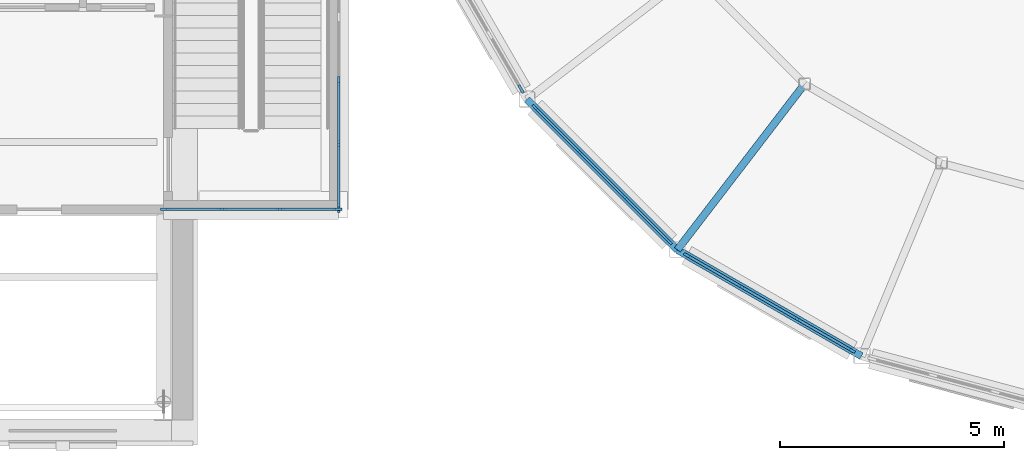
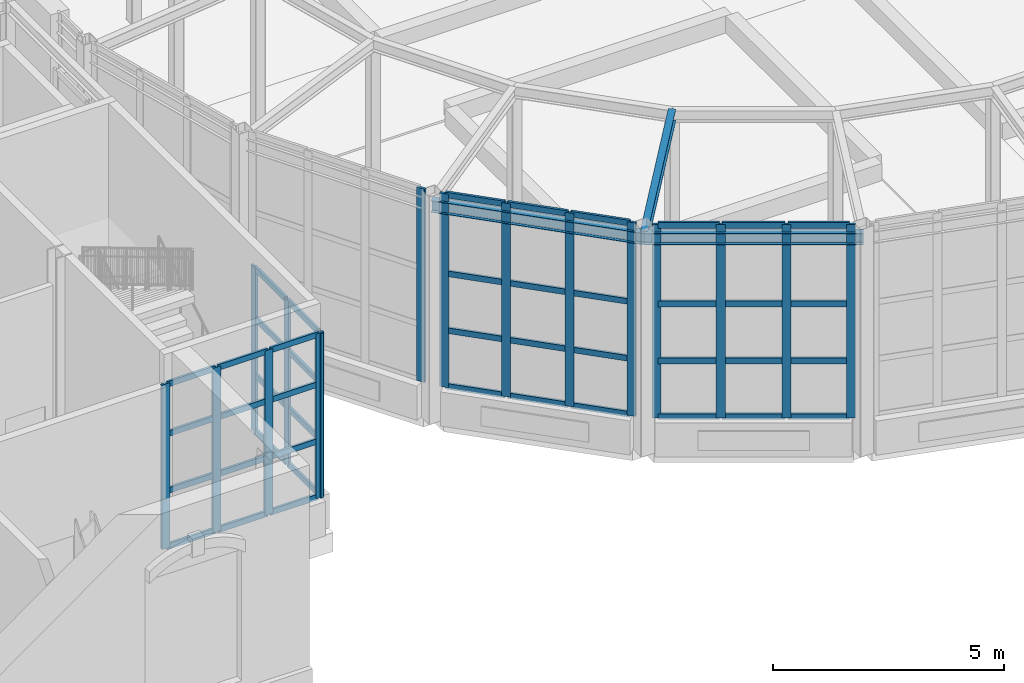
# One storey, part 26 of 106: 60 members, 3 beams, 5 elements without a shape of their own.
"""IFC4 building model written with IfcOpenShell, lengths in metres."""

import ifcopenshell
import ifcopenshell.guid

model = None  # the IFC model being written
_history = None  # IfcOwnerHistory: only IFC2X3 demands one
_inside = {}  # id of a spatial element -> (the spatial element, [elements in it])
_under = {}  # id of a project, library or spatial element -> (it, [spatial elements below it])
_declared = {}  # id of a project -> (the project, [libraries it declares])
_typed = {}  # id of a type object -> (the type object, [elements of that type])
_made_of = {}  # id of a material, layer set ... -> (it, [elements and type objects made of it])


def new_model(schema):
    """Start an empty IFC model of exactly this schema.

    Asked for "IFC4X3", IfcOpenShell would pick the latest addendum, in which some entities
    have other attributes; the version numbers below select the first issue.
    IFC2X3 requires an IfcOwnerHistory on every rooted entity: one is made here for all.
    """
    global model, _history
    if schema == "IFC4X3":
        model = ifcopenshell.file(schema_version=(4, 3, 0, 0))
    else:
        model = ifcopenshell.file(schema=schema)
    _inside.clear()
    _under.clear()
    _declared.clear()
    _typed.clear()
    _made_of.clear()
    _history = None
    if model.schema == "IFC2X3":
        org = make("IfcOrganization", Name="unknown")
        user = make(
            "IfcPersonAndOrganization",
            ThePerson=make("IfcPerson", FamilyName="unknown"),
            TheOrganization=org,
        )
        app = make(
            "IfcApplication",
            ApplicationDeveloper=org,
            Version="unknown",
            ApplicationFullName="unknown",
            ApplicationIdentifier="unknown",
        )
        _history = make(
            "IfcOwnerHistory",
            OwningUser=user,
            OwningApplication=app,
            ChangeAction="ADDED",
            CreationDate=0,
        )
    return model


def make(cls, **values):
    """One entity of the class cls with the attributes given. An attribute that is None is left unset."""
    return model.create_entity(
        cls, **{name: value for name, value in values.items() if value is not None}
    )


def rooted(cls, **values):
    """An entity with a GlobalId (a new one), such as an element, a storey or a relation."""
    return make(cls, GlobalId=ifcopenshell.guid.new(), OwnerHistory=_history, **values)


def si_unit(unit_type, name, prefix=None):
    """IfcSIUnit, for example si_unit("LENGTHUNIT", "METRE", prefix="MILLI")."""
    return make("IfcSIUnit", UnitType=unit_type, Prefix=prefix, Name=name)


def assignment(units):
    """IfcUnitAssignment: the units of a project."""
    return None if units is None else make("IfcUnitAssignment", Units=units)


def point(xyz):
    """IfcCartesianPoint."""
    return None if xyz is None else make("IfcCartesianPoint", Coordinates=xyz)


def direction(xyz):
    """IfcDirection."""
    return None if xyz is None else make("IfcDirection", DirectionRatios=xyz)


def frame(location, z_axis=None, x_axis=None):
    """IfcAxis2Placement3D, a coordinate frame: its origin and axes. An axis left out is left unset."""
    return make(
        "IfcAxis2Placement3D",
        Location=point(location),
        Axis=direction(z_axis),
        RefDirection=direction(x_axis),
    )


def frame_2d(location, x_axis=None):
    """IfcAxis2Placement2D, a coordinate frame in the plane: its origin and x axis."""
    return make(
        "IfcAxis2Placement2D", Location=point(location), RefDirection=direction(x_axis)
    )


def origin():
    """The frame at (0, 0, 0) with its axes left unset."""
    return frame((0.0, 0.0, 0.0))


def origin_2d():
    """The frame at (0, 0) in the plane with its x axis left unset."""
    return frame_2d((0.0, 0.0))


def place(relative_to, where):
    """IfcLocalPlacement: puts the frame where relative to a parent placement (None: the world)."""
    return make(
        "IfcLocalPlacement", PlacementRelTo=relative_to, RelativePlacement=where
    )


def context(
    kind, dimensions, precision=None, world=None, true_north=None, identifier=None
):
    """IfcGeometricRepresentationContext, for example the 3D "Model" context."""
    return make(
        "IfcGeometricRepresentationContext",
        ContextIdentifier=identifier,
        ContextType=kind,
        CoordinateSpaceDimension=dimensions,
        Precision=precision,
        WorldCoordinateSystem=world,
        TrueNorth=true_north,
    )


def subcontext(parent, identifier, kind, view, scale=None):
    """IfcGeometricRepresentationSubContext, for example "Body" below "Model"."""
    return make(
        "IfcGeometricRepresentationSubContext",
        ContextIdentifier=identifier,
        ContextType=kind,
        ParentContext=parent,
        TargetScale=scale,
        TargetView=view,
    )


def project(units=None, contexts=None):
    """IfcProject with its units and contexts."""
    return rooted(
        "IfcProject",
        Name="project",
        RepresentationContexts=contexts,
        UnitsInContext=assignment(units),
    )


def spatial(cls, under=None, at=None, **own):
    """A site, building, storey or space (cls), placed at a placement, below another one or the project."""
    s = rooted(cls, ObjectPlacement=at, **own)
    if under is not None:
        _under.setdefault(under.id(), (under, []))[1].append(s)
    return s


def profile(cls, at=None, kind="AREA", **sizes):
    """A parametric profile (cls). Its sizes go by their IFC names, for example OverallWidth=200.0."""
    return make(cls, ProfileType=kind, Position=at, **sizes)


def rectangle(**sizes):
    """IfcRectangleProfileDef."""
    return profile("IfcRectangleProfileDef", **sizes)


def i_section(**sizes):
    """IfcIShapeProfileDef."""
    return profile("IfcIShapeProfileDef", **sizes)


def extrude(swept, where, along, depth):
    """IfcExtrudedAreaSolid: the profile swept, set in the frame where, extruded along a direction by depth."""
    return make(
        "IfcExtrudedAreaSolid",
        SweptArea=swept,
        Position=where,
        ExtrudedDirection=direction(along),
        Depth=depth,
    )


def shape(context_of_items, identifier, shape_type, items):
    """IfcShapeRepresentation: the items that make up one representation, for example the "Body"."""
    return make(
        "IfcShapeRepresentation",
        ContextOfItems=context_of_items,
        RepresentationIdentifier=identifier,
        RepresentationType=shape_type,
        Items=items,
    )


def material(Name=None, Category=None):
    """IfcMaterial."""
    return make("IfcMaterial", Name=Name, Category=Category)


def layer(
    of_material, thickness, ventilated=None, Name=None, Category=None, Priority=None
):
    """IfcMaterialLayer: one layer of a wall or slab, of a material (None: an air gap)."""
    return make(
        "IfcMaterialLayer",
        Material=of_material,
        LayerThickness=thickness,
        IsVentilated=ventilated,
        Name=Name,
        Category=Category,
        Priority=Priority,
    )


def layer_set(layers, Name=None):
    """IfcMaterialLayerSet."""
    return make("IfcMaterialLayerSet", MaterialLayers=layers, LayerSetName=Name)


def material_profile(
    of_material, cross_section, Name=None, Category=None, Priority=None
):
    """IfcMaterialProfile: a cross section and its material."""
    return make(
        "IfcMaterialProfile",
        Name=Name,
        Material=of_material,
        Profile=cross_section,
        Priority=Priority,
        Category=Category,
    )


def profile_set(profiles, Name=None, composite=None):
    """IfcMaterialProfileSet."""
    return make(
        "IfcMaterialProfileSet",
        Name=Name,
        MaterialProfiles=profiles,
        CompositeProfile=composite,
    )


def made_of(thing, what):
    """Note that an element or type object is made of a material, layer set ...; save() writes the relation."""
    if what is not None:
        _made_of.setdefault(what.id(), (what, []))[1].append(thing)
    return thing


def type_object(cls, material=None, **own):
    """A type object (cls), such as IfcWallType, which elements share."""
    return made_of(rooted(cls, **own), material)


def element(
    cls,
    number,
    at=None,
    inside=None,
    cuts=None,
    type_object=None,
    material=None,
    context=None,
    identifier="Body",
    shape_type=None,
    held_by="IfcProductDefinitionShape",
    body=None,
    shapes=None,
    **own,
):
    """One element of the class cls, such as IfcWall. Its Tag is "e" and its number.

    at: its placement. inside: the storey or other place that contains it. cuts: it is an
    opening in that element (IfcRelVoidsElement). A single representation is given by context,
    identifier, shape_type and body (its items); several are given by shapes. held_by: the class
    of the entity that holds the representations. save() writes the other relations.
    """
    e = rooted(cls, Tag="e%d" % number, ObjectPlacement=at, **own)
    if body is not None:
        shapes = [shape(context, identifier, shape_type, body)]
    if shapes is not None:
        e.Representation = make(held_by, Representations=shapes)
    if inside is not None:
        _inside.setdefault(inside.id(), (inside, []))[1].append(e)
    if cuts is not None:
        rooted(
            "IfcRelVoidsElement", RelatingBuildingElement=cuts, RelatedOpeningElement=e
        )
    if type_object is not None:
        _typed.setdefault(type_object.id(), (type_object, []))[1].append(e)
    return made_of(e, material)


def aggregate(whole, parts):
    """IfcRelAggregates: a whole, such as a stair, and the parts it consists of."""
    return rooted("IfcRelAggregates", RelatingObject=whole, RelatedObjects=parts)


def save(model, path):
    """Write the relations noted so far, then the file.

    IfcRelAggregates (storeys below a building ...), IfcRelContainedInSpatialStructure (elements
    in a storey), IfcRelDefinesByType, IfcRelAssociatesMaterial and IfcRelDeclares: one each for
    every whole, place, type object, material and project.
    """
    for whole, parts in _under.values():
        aggregate(whole, parts)
    for where, things in _inside.values():
        rooted(
            "IfcRelContainedInSpatialStructure",
            RelatedElements=things,
            RelatingStructure=where,
        )
    for kind, things in _typed.values():
        rooted("IfcRelDefinesByType", RelatedObjects=things, RelatingType=kind)
    for what, things in _made_of.values():
        rooted("IfcRelAssociatesMaterial", RelatedObjects=things, RelatingMaterial=what)
    for by, libraries in _declared.values():
        rooted("IfcRelDeclares", RelatingContext=by, RelatedDefinitions=libraries)
    model.write(path)


model = new_model("IFC4")

# Units and contexts
model_context = context("Model", 3, precision=1e-05, world=origin(), true_north=direction((0.0, 1.0)))
body_context = subcontext(model_context, "Body", "Model", "MODEL_VIEW")
ifc_project = project(units=[si_unit("LENGTHUNIT", "METRE"), si_unit("AREAUNIT", "SQUARE_METRE"), si_unit("VOLUMEUNIT", "CUBIC_METRE"), si_unit("PLANEANGLEUNIT", "RADIAN"), si_unit("MASSUNIT", "GRAM", prefix="KILO")], contexts=[model_context])

# Site, building, storey
site_placement = place(None, origin())
site = spatial("IfcSite", under=ifc_project, at=site_placement, CompositionType="ELEMENT")
building_placement = place(site_placement, origin())
building = spatial("IfcBuilding", under=site, at=building_placement, Name="Hortulan Conservatory and Botanical Research Centre", CompositionType="ELEMENT")
storey_placement = place(building_placement, origin())
storey = spatial("IfcBuildingStorey", under=building, at=storey_placement, Name="L00", CompositionType="ELEMENT", Elevation=0.0)

# Curtain wall, member
ifc_material_1 = material(Name="Bronze-finished aluminium", Category="aluminium")
ifc_layer = layer(ifc_material_1, 0.10009765625)
ifc_layer_set = layer_set([ifc_layer], Name="Bronze-framed Curtain Wall 1500 module")
curtain_wall_type = type_object("IfcCurtainWallType", Name="Bronze-framed Curtain Wall 1500 module", PredefinedType="NOTDEFINED", material=ifc_layer_set)
curtain_wall_1_placement = place(storey_placement, origin())
curtain_wall_1 = element("IfcCurtainWall", 1, at=curtain_wall_1_placement, inside=storey, type_object=curtain_wall_type, Name="Curtain wall", PredefinedType="NOTDEFINED")
ifc_material_profile_1 = material_profile(ifc_material_1, rectangle(XDim=0.06005859375, YDim=0.199951171875, at=origin_2d()), Name="Bronze Mullion 60x200")
ifc_profile_set_1 = profile_set([ifc_material_profile_1], Name="Bronze-finished aluminium")
member_type_1 = type_object("IfcMemberType", Name="Bronze Mullion 60x200", PredefinedType="MULLION", material=ifc_profile_set_1)
member_1_placement = place(storey_placement, frame((39.461669921875, 7.18115234375, 0.89990234375), z_axis=(0.0, 0.0, 1.0), x_axis=(-0.866036280655, -0.499981160235, 0.0)))
member_1 = element("IfcMember", 2, at=member_1_placement, type_object=member_type_1, Name="CW1 mullion 1", PredefinedType="MULLION", context=body_context, shape_type="SweptSolid", body=[
    extrude(rectangle(XDim=0.06005859375, YDim=0.199951171875, at=origin_2d()), origin(), (0.0, 0.0, 1.0), 5.10009765625),
])
aggregate(curtain_wall_1, [member_1])

# Curtain wall, members
curtain_wall_2_placement = place(storey_placement, origin())
curtain_wall_2 = element("IfcCurtainWall", 3, at=curtain_wall_2_placement, inside=storey, type_object=curtain_wall_type, Name="Curtain wall", PredefinedType="NOTDEFINED")
member_2_placement = place(storey_placement, frame((42.751708984375, 3.792236328125, 0.89990234375), z_axis=(0.0, 0.0, 1.0), x_axis=(-0.707130335318, -0.70708322627, 0.0)))
member_2 = element("IfcMember", 4, at=member_2_placement, type_object=member_type_1, Name="CW1 mullion 1", PredefinedType="MULLION", context=body_context, shape_type="SweptSolid", body=[
    extrude(rectangle(XDim=0.06005859375, YDim=0.199951171875, at=origin_2d()), origin(), (0.0, 0.0, 1.0), 5.10009765625),
])
member_3_placement = place(storey_placement, frame((41.7724609375, 4.771728515625, 0.89990234375), z_axis=(0.0, 0.0, 1.0), x_axis=(-0.707130335318, -0.70708322627, 0.0)))
member_3 = element("IfcMember", 5, at=member_3_placement, type_object=member_type_1, Name="CW1 mullion 2", PredefinedType="MULLION", context=body_context, shape_type="SweptSolid", body=[
    extrude(rectangle(XDim=0.06005859375, YDim=0.199951171875, at=origin_2d()), origin(), (0.0, 0.0, 1.0), 5.10009765625),
])
member_4_placement = place(storey_placement, frame((40.771728515625, 5.7724609375, 0.89990234375), z_axis=(0.0, 0.0, 1.0), x_axis=(-0.707130335318, -0.70708322627, 0.0)))
member_4 = element("IfcMember", 6, at=member_4_placement, type_object=member_type_1, Name="CW1 mullion 3", PredefinedType="MULLION", context=body_context, shape_type="SweptSolid", body=[
    extrude(rectangle(XDim=0.06005859375, YDim=0.199951171875, at=origin_2d()), origin(), (0.0, 0.0, 1.0), 5.10009765625),
])
member_5_placement = place(storey_placement, frame((39.792236328125, 6.751953125, 0.89990234375), z_axis=(0.0, 0.0, 1.0), x_axis=(-0.707130335318, -0.70708322627, 0.0)))
member_5 = element("IfcMember", 7, at=member_5_placement, type_object=member_type_1, Name="CW1 mullion 4", PredefinedType="MULLION", context=body_context, shape_type="SweptSolid", body=[
    extrude(rectangle(XDim=0.06005859375, YDim=0.199951171875, at=origin_2d()), origin(), (0.0, 0.0, 1.0), 5.10009765625),
])

curtain_wall_3_placement = place(storey_placement, origin())
curtain_wall_3 = element("IfcCurtainWall", 8, at=curtain_wall_3_placement, inside=storey, type_object=curtain_wall_type, Name="Curtain wall", PredefinedType="NOTDEFINED")
member_6_placement = place(storey_placement, frame((46.81884765625, 1.361328125, 0.89990234375), z_axis=(0.0, 0.0, 1.0), x_axis=(-0.499981160235, -0.866036280655, 0.0)))
member_6 = element("IfcMember", 9, at=member_6_placement, type_object=member_type_1, Name="CW1 mullion 1", PredefinedType="MULLION", context=body_context, shape_type="SweptSolid", body=[
    extrude(rectangle(XDim=0.06005859375, YDim=0.199951171875, at=origin_2d()), origin(), (0.0, 0.0, 1.0), 5.10009765625),
])
member_7_placement = place(storey_placement, frame((45.614990234375, 2.056396484375, 0.89990234375), z_axis=(0.0, 0.0, 1.0), x_axis=(-0.499981160235, -0.866036280655, 0.0)))
member_7 = element("IfcMember", 10, at=member_7_placement, type_object=member_type_1, Name="CW1 mullion 2", PredefinedType="MULLION", context=body_context, shape_type="SweptSolid", body=[
    extrude(rectangle(XDim=0.06005859375, YDim=0.199951171875, at=origin_2d()), origin(), (0.0, 0.0, 1.0), 5.10009765625),
])
member_8_placement = place(storey_placement, frame((44.385009765625, 2.7666015625, 0.89990234375), z_axis=(0.0, 0.0, 1.0), x_axis=(-0.499981160235, -0.866036280655, 0.0)))
member_8 = element("IfcMember", 11, at=member_8_placement, type_object=member_type_1, Name="CW1 mullion 3", PredefinedType="MULLION", context=body_context, shape_type="SweptSolid", body=[
    extrude(rectangle(XDim=0.06005859375, YDim=0.199951171875, at=origin_2d()), origin(), (0.0, 0.0, 1.0), 5.10009765625),
])
member_9_placement = place(storey_placement, frame((43.18115234375, 3.461669921875, 0.89990234375), z_axis=(0.0, 0.0, 1.0), x_axis=(-0.499981160235, -0.866036280655, 0.0)))
member_9 = element("IfcMember", 12, at=member_9_placement, type_object=member_type_1, Name="CW1 mullion 4", PredefinedType="MULLION", context=body_context, shape_type="SweptSolid", body=[
    extrude(rectangle(XDim=0.06005859375, YDim=0.199951171875, at=origin_2d()), origin(), (0.0, 0.0, 1.0), 5.10009765625),
])

curtain_wall_4_placement = place(storey_placement, origin())
curtain_wall_4 = element("IfcCurtainWall", 13, at=curtain_wall_4_placement, inside=storey, type_object=curtain_wall_type, Name="Curtain wall", PredefinedType="NOTDEFINED")
member_10_placement = place(storey_placement, frame((35.3701171875, 4.5, 0.89990234375), z_axis=(0.0, 0.0, 1.0), x_axis=(0.0, -1.0, 0.0)))
member_10 = element("IfcMember", 14, at=member_10_placement, type_object=member_type_1, Name="CW1 mullion 1", PredefinedType="MULLION", context=body_context, shape_type="SweptSolid", body=[
    extrude(rectangle(XDim=0.06005859375, YDim=0.199951171875, at=origin_2d()), origin(), (0.0, 0.0, 1.0), 4.340087890625),
])
member_11_placement = place(storey_placement, frame((34.10009765625, 4.5, 0.89990234375), z_axis=(0.0, 0.0, 1.0), x_axis=(0.0, -1.0, 0.0)))
member_11 = element("IfcMember", 15, at=member_11_placement, type_object=member_type_1, Name="CW1 mullion 2", PredefinedType="MULLION", context=body_context, shape_type="SweptSolid", body=[
    extrude(rectangle(XDim=0.06005859375, YDim=0.199951171875, at=origin_2d()), origin(), (0.0, 0.0, 1.0), 4.340087890625),
])
member_12_placement = place(storey_placement, frame((32.800048828125, 4.5, 0.89990234375), z_axis=(0.0, 0.0, 1.0), x_axis=(0.0, -1.0, 0.0)))
member_12 = element("IfcMember", 16, at=member_12_placement, type_object=member_type_1, Name="CW1 mullion 3", PredefinedType="MULLION", context=body_context, shape_type="SweptSolid", body=[
    extrude(rectangle(XDim=0.06005859375, YDim=0.199951171875, at=origin_2d()), origin(), (0.0, 0.0, 1.0), 4.340087890625),
])
member_13_placement = place(storey_placement, frame((31.530029296875, 4.5, 0.89990234375), z_axis=(0.0, 0.0, 1.0), x_axis=(0.0, -1.0, 0.0)))
member_13 = element("IfcMember", 17, at=member_13_placement, type_object=member_type_1, Name="CW1 mullion 4", PredefinedType="MULLION", context=body_context, shape_type="SweptSolid", body=[
    extrude(rectangle(XDim=0.06005859375, YDim=0.199951171875, at=origin_2d()), origin(), (0.0, 0.0, 1.0), 4.340087890625),
])

curtain_wall_5_placement = place(storey_placement, origin())
curtain_wall_5 = element("IfcCurtainWall", 18, at=curtain_wall_5_placement, inside=storey, type_object=curtain_wall_type, Name="Curtain wall", PredefinedType="NOTDEFINED")
member_14_placement = place(storey_placement, frame((35.39990234375, 7.357666015625, 0.89990234375), z_axis=(0.0, 0.0, 1.0), x_axis=(1.0, 0.0, 0.0)))
member_14 = element("IfcMember", 19, at=member_14_placement, type_object=member_type_1, Name="CW1 mullion 7", PredefinedType="MULLION", context=body_context, shape_type="SweptSolid", body=[
    extrude(rectangle(XDim=0.06005859375, YDim=0.199951171875, at=origin_2d()), origin(), (0.0, 0.0, 1.0), 4.340087890625),
])
member_15_placement = place(storey_placement, frame((35.39990234375, 5.9287109375, 0.89990234375), z_axis=(0.0, 0.0, 1.0), x_axis=(1.0, 0.0, 0.0)))
member_15 = element("IfcMember", 20, at=member_15_placement, type_object=member_type_1, Name="CW1 mullion 8", PredefinedType="MULLION", context=body_context, shape_type="SweptSolid", body=[
    extrude(rectangle(XDim=0.06005859375, YDim=0.199951171875, at=origin_2d()), origin(), (0.0, 0.0, 1.0), 4.340087890625),
])
member_16_placement = place(storey_placement, frame((35.39990234375, 4.530029296875, 0.89990234375), z_axis=(0.0, 0.0, 1.0), x_axis=(1.0, 0.0, 0.0)))
member_16 = element("IfcMember", 21, at=member_16_placement, type_object=member_type_1, Name="CW1 mullion 9", PredefinedType="MULLION", context=body_context, shape_type="SweptSolid", body=[
    extrude(rectangle(XDim=0.06005859375, YDim=0.199951171875, at=origin_2d()), origin(), (0.0, 0.0, 1.0), 4.340087890625),
])

# Member
ifc_material_profile_2 = material_profile(ifc_material_1, rectangle(XDim=0.06005859375, YDim=0.14990234375, at=origin_2d()), Name="Bronze Transom 60x150")
ifc_profile_set_2 = profile_set([ifc_material_profile_2], Name="Bronze-finished aluminium")
member_type_2 = type_object("IfcMemberType", Name="Bronze Transom 60x150", PredefinedType="USERDEFINED", material=ifc_profile_set_2)
member_17_placement = place(storey_placement, frame((42.73046875, 3.8134765625, 0.929931640625), z_axis=(-0.707014644009, 0.70719890636, 0.0), x_axis=(-0.70719890636, -0.707014644009, 0.0)))
member_17 = element("IfcMember", 22, at=member_17_placement, type_object=member_type_2, Name="CW1 transom 1.1", ObjectType="TRANSOM", PredefinedType="USERDEFINED", context=body_context, shape_type="SweptSolid", body=[
    extrude(rectangle(XDim=0.06005859375, YDim=0.14990234375, at=origin_2d()), origin(), (0.0, 0.0, 1.0), 1.324951171875),
])

member_18_placement = place(storey_placement, frame((42.73046875, 3.8134765625, 2.39990234375), z_axis=(-0.707014644009, 0.70719890636, 0.0), x_axis=(-0.70719890636, -0.707014644009, 0.0)))
member_18 = element("IfcMember", 23, at=member_18_placement, type_object=member_type_2, Name="CW1 transom 1.2", ObjectType="TRANSOM", PredefinedType="USERDEFINED", context=body_context, shape_type="SweptSolid", body=[
    extrude(rectangle(XDim=0.06005859375, YDim=0.14990234375, at=origin_2d()), origin(), (0.0, 0.0, 1.0), 1.324951171875),
])

member_19_placement = place(storey_placement, frame((42.73046875, 3.8134765625, 3.89990234375), z_axis=(-0.707014644009, 0.70719890636, 0.0), x_axis=(-0.70719890636, -0.707014644009, 0.0)))
member_19 = element("IfcMember", 24, at=member_19_placement, type_object=member_type_2, Name="CW1 transom 1.3", ObjectType="TRANSOM", PredefinedType="USERDEFINED", context=body_context, shape_type="SweptSolid", body=[
    extrude(rectangle(XDim=0.06005859375, YDim=0.14990234375, at=origin_2d()), origin(), (0.0, 0.0, 1.0), 1.324951171875),
])

member_20_placement = place(storey_placement, frame((42.73046875, 3.8134765625, 5.969970703125), z_axis=(-0.707014644009, 0.70719890636, 0.0), x_axis=(-0.70719890636, -0.707014644009, 0.0)))
member_20 = element("IfcMember", 25, at=member_20_placement, type_object=member_type_2, Name="CW1 transom 1.4", ObjectType="TRANSOM", PredefinedType="USERDEFINED", context=body_context, shape_type="SweptSolid", body=[
    extrude(rectangle(XDim=0.06005859375, YDim=0.14990234375, at=origin_2d()), origin(), (0.0, 0.0, 1.0), 1.324951171875),
])

member_21_placement = place(storey_placement, frame((41.751220703125, 4.79296875, 0.929931640625), z_axis=(-0.707106781187, 0.707106781187, 0.0), x_axis=(-0.707106781187, -0.707106781187, 0.0)))
member_21 = element("IfcMember", 26, at=member_21_placement, type_object=member_type_2, Name="CW1 transom 2.1", ObjectType="TRANSOM", PredefinedType="USERDEFINED", context=body_context, shape_type="SweptSolid", body=[
    extrude(rectangle(XDim=0.06005859375, YDim=0.14990234375, at=origin_2d()), origin(), (0.0, 0.0, 1.0), 1.355224609375),
])

member_22_placement = place(storey_placement, frame((41.751220703125, 4.79296875, 2.39990234375), z_axis=(-0.707106781187, 0.707106781187, 0.0), x_axis=(-0.707106781187, -0.707106781187, 0.0)))
member_22 = element("IfcMember", 27, at=member_22_placement, type_object=member_type_2, Name="CW1 transom 2.2", ObjectType="TRANSOM", PredefinedType="USERDEFINED", context=body_context, shape_type="SweptSolid", body=[
    extrude(rectangle(XDim=0.06005859375, YDim=0.14990234375, at=origin_2d()), origin(), (0.0, 0.0, 1.0), 1.355224609375),
])

member_23_placement = place(storey_placement, frame((41.751220703125, 4.79296875, 3.89990234375), z_axis=(-0.707106781187, 0.707106781187, 0.0), x_axis=(-0.707106781187, -0.707106781187, 0.0)))
member_23 = element("IfcMember", 28, at=member_23_placement, type_object=member_type_2, Name="CW1 transom 2.3", ObjectType="TRANSOM", PredefinedType="USERDEFINED", context=body_context, shape_type="SweptSolid", body=[
    extrude(rectangle(XDim=0.06005859375, YDim=0.14990234375, at=origin_2d()), origin(), (0.0, 0.0, 1.0), 1.355224609375),
])

member_24_placement = place(storey_placement, frame((41.751220703125, 4.79296875, 5.969970703125), z_axis=(-0.707106781187, 0.707106781187, 0.0), x_axis=(-0.707106781187, -0.707106781187, 0.0)))
member_24 = element("IfcMember", 29, at=member_24_placement, type_object=member_type_2, Name="CW1 transom 2.4", ObjectType="TRANSOM", PredefinedType="USERDEFINED", context=body_context, shape_type="SweptSolid", body=[
    extrude(rectangle(XDim=0.06005859375, YDim=0.14990234375, at=origin_2d()), origin(), (0.0, 0.0, 1.0), 1.355224609375),
])

member_25_placement = place(storey_placement, frame((40.75048828125, 5.793701171875, 0.929931640625), z_axis=(-0.707106781187, 0.707106781187, 0.0), x_axis=(-0.707106781187, -0.707106781187, 0.0)))
member_25 = element("IfcMember", 30, at=member_25_placement, type_object=member_type_2, Name="CW1 transom 3.1", ObjectType="TRANSOM", PredefinedType="USERDEFINED", context=body_context, shape_type="SweptSolid", body=[
    extrude(rectangle(XDim=0.06005859375, YDim=0.14990234375, at=origin_2d()), origin(), (0.0, 0.0, 1.0), 1.3251953125),
])

member_26_placement = place(storey_placement, frame((40.75048828125, 5.793701171875, 2.39990234375), z_axis=(-0.707106781187, 0.707106781187, 0.0), x_axis=(-0.707106781187, -0.707106781187, 0.0)))
member_26 = element("IfcMember", 31, at=member_26_placement, type_object=member_type_2, Name="CW1 transom 3.2", ObjectType="TRANSOM", PredefinedType="USERDEFINED", context=body_context, shape_type="SweptSolid", body=[
    extrude(rectangle(XDim=0.06005859375, YDim=0.14990234375, at=origin_2d()), origin(), (0.0, 0.0, 1.0), 1.3251953125),
])

member_27_placement = place(storey_placement, frame((40.75048828125, 5.793701171875, 3.89990234375), z_axis=(-0.707106781187, 0.707106781187, 0.0), x_axis=(-0.707106781187, -0.707106781187, 0.0)))
member_27 = element("IfcMember", 32, at=member_27_placement, type_object=member_type_2, Name="CW1 transom 3.3", ObjectType="TRANSOM", PredefinedType="USERDEFINED", context=body_context, shape_type="SweptSolid", body=[
    extrude(rectangle(XDim=0.06005859375, YDim=0.14990234375, at=origin_2d()), origin(), (0.0, 0.0, 1.0), 1.3251953125),
])

member_28_placement = place(storey_placement, frame((40.75048828125, 5.793701171875, 5.969970703125), z_axis=(-0.707106781187, 0.707106781187, 0.0), x_axis=(-0.707106781187, -0.707106781187, 0.0)))
member_28 = element("IfcMember", 33, at=member_28_placement, type_object=member_type_2, Name="CW1 transom 3.4", ObjectType="TRANSOM", PredefinedType="USERDEFINED", context=body_context, shape_type="SweptSolid", body=[
    extrude(rectangle(XDim=0.06005859375, YDim=0.14990234375, at=origin_2d()), origin(), (0.0, 0.0, 1.0), 1.3251953125),
])

aggregate(curtain_wall_2, [member_2, member_3, member_4, member_5, member_17, member_18, member_19, member_20, member_21, member_22, member_23, member_24, member_25, member_26, member_27, member_28])

member_29_placement = place(storey_placement, frame((46.79296875, 1.37646484375, 0.929931640625), z_axis=(-0.866066400931, 0.499928984136, 0.0), x_axis=(-0.499928984136, -0.866066400931, 0.0)))
member_29 = element("IfcMember", 34, at=member_29_placement, type_object=member_type_2, Name="CW1 transom 1.1", ObjectType="TRANSOM", PredefinedType="USERDEFINED", context=body_context, shape_type="SweptSolid", body=[
    extrude(rectangle(XDim=0.06005859375, YDim=0.14990234375, at=origin_2d()), origin(), (0.0, 0.0, 1.0), 1.330322265625),
])

member_30_placement = place(storey_placement, frame((46.79296875, 1.37646484375, 2.39990234375), z_axis=(-0.866066400931, 0.499928984136, 0.0), x_axis=(-0.499928984136, -0.866066400931, 0.0)))
member_30 = element("IfcMember", 35, at=member_30_placement, type_object=member_type_2, Name="CW1 transom 1.2", ObjectType="TRANSOM", PredefinedType="USERDEFINED", context=body_context, shape_type="SweptSolid", body=[
    extrude(rectangle(XDim=0.06005859375, YDim=0.14990234375, at=origin_2d()), origin(), (0.0, 0.0, 1.0), 1.330322265625),
])

member_31_placement = place(storey_placement, frame((46.79296875, 1.37646484375, 3.89990234375), z_axis=(-0.866066400931, 0.499928984136, 0.0), x_axis=(-0.499928984136, -0.866066400931, 0.0)))
member_31 = element("IfcMember", 36, at=member_31_placement, type_object=member_type_2, Name="CW1 transom 1.3", ObjectType="TRANSOM", PredefinedType="USERDEFINED", context=body_context, shape_type="SweptSolid", body=[
    extrude(rectangle(XDim=0.06005859375, YDim=0.14990234375, at=origin_2d()), origin(), (0.0, 0.0, 1.0), 1.330322265625),
])

member_32_placement = place(storey_placement, frame((46.79296875, 1.37646484375, 5.969970703125), z_axis=(-0.866066400931, 0.499928984136, 0.0), x_axis=(-0.499928984136, -0.866066400931, 0.0)))
member_32 = element("IfcMember", 37, at=member_32_placement, type_object=member_type_2, Name="CW1 transom 1.4", ObjectType="TRANSOM", PredefinedType="USERDEFINED", context=body_context, shape_type="SweptSolid", body=[
    extrude(rectangle(XDim=0.06005859375, YDim=0.14990234375, at=origin_2d()), origin(), (0.0, 0.0, 1.0), 1.330322265625),
])

member_33_placement = place(storey_placement, frame((45.5888671875, 2.071533203125, 0.929931640625), z_axis=(-0.866036107898, 0.499981459473, 0.0), x_axis=(-0.499981459473, -0.866036107898, 0.0)))
member_33 = element("IfcMember", 38, at=member_33_placement, type_object=member_type_2, Name="CW1 transom 2.1", ObjectType="TRANSOM", PredefinedType="USERDEFINED", context=body_context, shape_type="SweptSolid", body=[
    extrude(rectangle(XDim=0.06005859375, YDim=0.14990234375, at=origin_2d()), origin(), (0.0, 0.0, 1.0), 1.35986328125),
])

member_34_placement = place(storey_placement, frame((45.5888671875, 2.071533203125, 2.39990234375), z_axis=(-0.866036107898, 0.499981459473, 0.0), x_axis=(-0.499981459473, -0.866036107898, 0.0)))
member_34 = element("IfcMember", 39, at=member_34_placement, type_object=member_type_2, Name="CW1 transom 2.2", ObjectType="TRANSOM", PredefinedType="USERDEFINED", context=body_context, shape_type="SweptSolid", body=[
    extrude(rectangle(XDim=0.06005859375, YDim=0.14990234375, at=origin_2d()), origin(), (0.0, 0.0, 1.0), 1.35986328125),
])

member_35_placement = place(storey_placement, frame((45.5888671875, 2.071533203125, 3.89990234375), z_axis=(-0.866036107898, 0.499981459473, 0.0), x_axis=(-0.499981459473, -0.866036107898, 0.0)))
member_35 = element("IfcMember", 40, at=member_35_placement, type_object=member_type_2, Name="CW1 transom 2.3", ObjectType="TRANSOM", PredefinedType="USERDEFINED", context=body_context, shape_type="SweptSolid", body=[
    extrude(rectangle(XDim=0.06005859375, YDim=0.14990234375, at=origin_2d()), origin(), (0.0, 0.0, 1.0), 1.35986328125),
])

member_36_placement = place(storey_placement, frame((45.5888671875, 2.071533203125, 5.969970703125), z_axis=(-0.866036107898, 0.499981459473, 0.0), x_axis=(-0.499981459473, -0.866036107898, 0.0)))
member_36 = element("IfcMember", 41, at=member_36_placement, type_object=member_type_2, Name="CW1 transom 2.4", ObjectType="TRANSOM", PredefinedType="USERDEFINED", context=body_context, shape_type="SweptSolid", body=[
    extrude(rectangle(XDim=0.06005859375, YDim=0.14990234375, at=origin_2d()), origin(), (0.0, 0.0, 1.0), 1.35986328125),
])

member_37_placement = place(storey_placement, frame((44.359130859375, 2.781494140625, 0.929931640625), z_axis=(-0.866066400931, 0.499928984136, 0.0), x_axis=(-0.499928984136, -0.866066400931, 0.0)))
member_37 = element("IfcMember", 42, at=member_37_placement, type_object=member_type_2, Name="CW1 transom 3.1", ObjectType="TRANSOM", PredefinedType="USERDEFINED", context=body_context, shape_type="SweptSolid", body=[
    extrude(rectangle(XDim=0.06005859375, YDim=0.14990234375, at=origin_2d()), origin(), (0.0, 0.0, 1.0), 1.330322265625),
])

member_38_placement = place(storey_placement, frame((44.359130859375, 2.781494140625, 2.39990234375), z_axis=(-0.866066400931, 0.499928984136, 0.0), x_axis=(-0.499928984136, -0.866066400931, 0.0)))
member_38 = element("IfcMember", 43, at=member_38_placement, type_object=member_type_2, Name="CW1 transom 3.2", ObjectType="TRANSOM", PredefinedType="USERDEFINED", context=body_context, shape_type="SweptSolid", body=[
    extrude(rectangle(XDim=0.06005859375, YDim=0.14990234375, at=origin_2d()), origin(), (0.0, 0.0, 1.0), 1.330322265625),
])

member_39_placement = place(storey_placement, frame((44.359130859375, 2.781494140625, 3.89990234375), z_axis=(-0.866066400931, 0.499928984136, 0.0), x_axis=(-0.499928984136, -0.866066400931, 0.0)))
member_39 = element("IfcMember", 44, at=member_39_placement, type_object=member_type_2, Name="CW1 transom 3.3", ObjectType="TRANSOM", PredefinedType="USERDEFINED", context=body_context, shape_type="SweptSolid", body=[
    extrude(rectangle(XDim=0.06005859375, YDim=0.14990234375, at=origin_2d()), origin(), (0.0, 0.0, 1.0), 1.330322265625),
])

member_40_placement = place(storey_placement, frame((44.359130859375, 2.781494140625, 5.969970703125), z_axis=(-0.866066400931, 0.499928984136, 0.0), x_axis=(-0.499928984136, -0.866066400931, 0.0)))
member_40 = element("IfcMember", 45, at=member_40_placement, type_object=member_type_2, Name="CW1 transom 3.4", ObjectType="TRANSOM", PredefinedType="USERDEFINED", context=body_context, shape_type="SweptSolid", body=[
    extrude(rectangle(XDim=0.06005859375, YDim=0.14990234375, at=origin_2d()), origin(), (0.0, 0.0, 1.0), 1.330322265625),
])

aggregate(curtain_wall_3, [member_6, member_7, member_8, member_9, member_29, member_30, member_31, member_32, member_33, member_34, member_35, member_36, member_37, member_38, member_39, member_40])

member_41_placement = place(storey_placement, frame((35.340087890625, 4.5, 0.929931640625), z_axis=(-1.0, 0.0, 0.0), x_axis=(0.0, -1.0, 0.0)))
member_41 = element("IfcMember", 46, at=member_41_placement, type_object=member_type_2, Name="CW1 transom 1.1", ObjectType="TRANSOM", PredefinedType="USERDEFINED", context=body_context, shape_type="SweptSolid", body=[
    extrude(rectangle(XDim=0.06005859375, YDim=0.14990234375, at=origin_2d()), origin(), (0.0, 0.0, 1.0), 1.210205078125),
])

member_42_placement = place(storey_placement, frame((35.340087890625, 4.5, 2.39990234375), z_axis=(-1.0, 0.0, 0.0), x_axis=(0.0, -1.0, 0.0)))
member_42 = element("IfcMember", 47, at=member_42_placement, type_object=member_type_2, Name="CW1 transom 1.2", ObjectType="TRANSOM", PredefinedType="USERDEFINED", context=body_context, shape_type="SweptSolid", body=[
    extrude(rectangle(XDim=0.06005859375, YDim=0.14990234375, at=origin_2d()), origin(), (0.0, 0.0, 1.0), 1.210205078125),
])

member_43_placement = place(storey_placement, frame((35.340087890625, 4.5, 3.89990234375), z_axis=(-1.0, 0.0, 0.0), x_axis=(0.0, -1.0, 0.0)))
member_43 = element("IfcMember", 48, at=member_43_placement, type_object=member_type_2, Name="CW1 transom 1.3", ObjectType="TRANSOM", PredefinedType="USERDEFINED", context=body_context, shape_type="SweptSolid", body=[
    extrude(rectangle(XDim=0.06005859375, YDim=0.14990234375, at=origin_2d()), origin(), (0.0, 0.0, 1.0), 1.210205078125),
])

member_44_placement = place(storey_placement, frame((35.340087890625, 4.5, 5.2099609375), z_axis=(-1.0, 0.0, 0.0), x_axis=(0.0, -1.0, 0.0)))
member_44 = element("IfcMember", 49, at=member_44_placement, type_object=member_type_2, Name="CW1 transom 1.4", ObjectType="TRANSOM", PredefinedType="USERDEFINED", context=body_context, shape_type="SweptSolid", body=[
    extrude(rectangle(XDim=0.06005859375, YDim=0.14990234375, at=origin_2d()), origin(), (0.0, 0.0, 1.0), 1.210205078125),
])

member_45_placement = place(storey_placement, frame((34.070068359375, 4.5, 0.929931640625), z_axis=(-1.0, 0.0, 0.0), x_axis=(0.0, -1.0, 0.0)))
member_45 = element("IfcMember", 50, at=member_45_placement, type_object=member_type_2, Name="CW1 transom 2.1", ObjectType="TRANSOM", PredefinedType="USERDEFINED", context=body_context, shape_type="SweptSolid", body=[
    extrude(rectangle(XDim=0.06005859375, YDim=0.14990234375, at=origin_2d()), origin(), (0.0, 0.0, 1.0), 1.239990234375),
])

member_46_placement = place(storey_placement, frame((34.070068359375, 4.5, 2.39990234375), z_axis=(-1.0, 0.0, 0.0), x_axis=(0.0, -1.0, 0.0)))
member_46 = element("IfcMember", 51, at=member_46_placement, type_object=member_type_2, Name="CW1 transom 2.2", ObjectType="TRANSOM", PredefinedType="USERDEFINED", context=body_context, shape_type="SweptSolid", body=[
    extrude(rectangle(XDim=0.06005859375, YDim=0.14990234375, at=origin_2d()), origin(), (0.0, 0.0, 1.0), 1.239990234375),
])

member_47_placement = place(storey_placement, frame((34.070068359375, 4.5, 3.89990234375), z_axis=(-1.0, 0.0, 0.0), x_axis=(0.0, -1.0, 0.0)))
member_47 = element("IfcMember", 52, at=member_47_placement, type_object=member_type_2, Name="CW1 transom 2.3", ObjectType="TRANSOM", PredefinedType="USERDEFINED", context=body_context, shape_type="SweptSolid", body=[
    extrude(rectangle(XDim=0.06005859375, YDim=0.14990234375, at=origin_2d()), origin(), (0.0, 0.0, 1.0), 1.239990234375),
])

member_48_placement = place(storey_placement, frame((34.070068359375, 4.5, 5.2099609375), z_axis=(-1.0, 0.0, 0.0), x_axis=(0.0, -1.0, 0.0)))
member_48 = element("IfcMember", 53, at=member_48_placement, type_object=member_type_2, Name="CW1 transom 2.4", ObjectType="TRANSOM", PredefinedType="USERDEFINED", context=body_context, shape_type="SweptSolid", body=[
    extrude(rectangle(XDim=0.06005859375, YDim=0.14990234375, at=origin_2d()), origin(), (0.0, 0.0, 1.0), 1.239990234375),
])

member_49_placement = place(storey_placement, frame((32.77001953125, 4.5, 0.929931640625), z_axis=(-1.0, 0.0, 0.0), x_axis=(0.0, -1.0, 0.0)))
member_49 = element("IfcMember", 54, at=member_49_placement, type_object=member_type_2, Name="CW1 transom 3.1", ObjectType="TRANSOM", PredefinedType="USERDEFINED", context=body_context, shape_type="SweptSolid", body=[
    extrude(rectangle(XDim=0.06005859375, YDim=0.14990234375, at=origin_2d()), origin(), (0.0, 0.0, 1.0), 1.2099609375),
])

member_50_placement = place(storey_placement, frame((32.77001953125, 4.5, 2.39990234375), z_axis=(-1.0, 0.0, 0.0), x_axis=(0.0, -1.0, 0.0)))
member_50 = element("IfcMember", 55, at=member_50_placement, type_object=member_type_2, Name="CW1 transom 3.2", ObjectType="TRANSOM", PredefinedType="USERDEFINED", context=body_context, shape_type="SweptSolid", body=[
    extrude(rectangle(XDim=0.06005859375, YDim=0.14990234375, at=origin_2d()), origin(), (0.0, 0.0, 1.0), 1.2099609375),
])

member_51_placement = place(storey_placement, frame((32.77001953125, 4.5, 3.89990234375), z_axis=(-1.0, 0.0, 0.0), x_axis=(0.0, -1.0, 0.0)))
member_51 = element("IfcMember", 56, at=member_51_placement, type_object=member_type_2, Name="CW1 transom 3.3", ObjectType="TRANSOM", PredefinedType="USERDEFINED", context=body_context, shape_type="SweptSolid", body=[
    extrude(rectangle(XDim=0.06005859375, YDim=0.14990234375, at=origin_2d()), origin(), (0.0, 0.0, 1.0), 1.2099609375),
])

member_52_placement = place(storey_placement, frame((32.77001953125, 4.5, 5.2099609375), z_axis=(-1.0, 0.0, 0.0), x_axis=(0.0, -1.0, 0.0)))
member_52 = element("IfcMember", 57, at=member_52_placement, type_object=member_type_2, Name="CW1 transom 3.4", ObjectType="TRANSOM", PredefinedType="USERDEFINED", context=body_context, shape_type="SweptSolid", body=[
    extrude(rectangle(XDim=0.06005859375, YDim=0.14990234375, at=origin_2d()), origin(), (0.0, 0.0, 1.0), 1.2099609375),
])

aggregate(curtain_wall_4, [member_10, member_11, member_12, member_13, member_41, member_42, member_43, member_44, member_45, member_46, member_47, member_48, member_49, member_50, member_51, member_52])

member_53_placement = place(storey_placement, frame((35.39990234375, 7.32763671875, 0.929931640625), z_axis=(0.0, -1.0, 0.0), x_axis=(1.0, 0.0, 0.0)))
member_53 = element("IfcMember", 58, at=member_53_placement, type_object=member_type_2, Name="CW1 transom 7.1", ObjectType="TRANSOM", PredefinedType="USERDEFINED", context=body_context, shape_type="SweptSolid", body=[
    extrude(rectangle(XDim=0.06005859375, YDim=0.14990234375, at=origin_2d()), origin(), (0.0, 0.0, 1.0), 1.368896484375),
])

member_54_placement = place(storey_placement, frame((35.39990234375, 7.32763671875, 2.39990234375), z_axis=(0.0, -1.0, 0.0), x_axis=(1.0, 0.0, 0.0)))
member_54 = element("IfcMember", 59, at=member_54_placement, type_object=member_type_2, Name="CW1 transom 7.2", ObjectType="TRANSOM", PredefinedType="USERDEFINED", context=body_context, shape_type="SweptSolid", body=[
    extrude(rectangle(XDim=0.06005859375, YDim=0.14990234375, at=origin_2d()), origin(), (0.0, 0.0, 1.0), 1.368896484375),
])

member_55_placement = place(storey_placement, frame((35.39990234375, 7.32763671875, 3.89990234375), z_axis=(0.0, -1.0, 0.0), x_axis=(1.0, 0.0, 0.0)))
member_55 = element("IfcMember", 60, at=member_55_placement, type_object=member_type_2, Name="CW1 transom 7.3", ObjectType="TRANSOM", PredefinedType="USERDEFINED", context=body_context, shape_type="SweptSolid", body=[
    extrude(rectangle(XDim=0.06005859375, YDim=0.14990234375, at=origin_2d()), origin(), (0.0, 0.0, 1.0), 1.368896484375),
])

member_56_placement = place(storey_placement, frame((35.39990234375, 7.32763671875, 5.2099609375), z_axis=(0.0, -1.0, 0.0), x_axis=(1.0, 0.0, 0.0)))
member_56 = element("IfcMember", 61, at=member_56_placement, type_object=member_type_2, Name="CW1 transom 7.4", ObjectType="TRANSOM", PredefinedType="USERDEFINED", context=body_context, shape_type="SweptSolid", body=[
    extrude(rectangle(XDim=0.06005859375, YDim=0.14990234375, at=origin_2d()), origin(), (0.0, 0.0, 1.0), 1.368896484375),
])

member_57_placement = place(storey_placement, frame((35.39990234375, 5.898681640625, 0.929931640625), z_axis=(0.0, -1.0, 0.0), x_axis=(1.0, 0.0, 0.0)))
member_57 = element("IfcMember", 62, at=member_57_placement, type_object=member_type_2, Name="CW1 transom 8.1", ObjectType="TRANSOM", PredefinedType="USERDEFINED", context=body_context, shape_type="SweptSolid", body=[
    extrude(rectangle(XDim=0.06005859375, YDim=0.14990234375, at=origin_2d()), origin(), (0.0, 0.0, 1.0), 1.338623046875),
])

member_58_placement = place(storey_placement, frame((35.39990234375, 5.898681640625, 2.39990234375), z_axis=(0.0, -1.0, 0.0), x_axis=(1.0, 0.0, 0.0)))
member_58 = element("IfcMember", 63, at=member_58_placement, type_object=member_type_2, Name="CW1 transom 8.2", ObjectType="TRANSOM", PredefinedType="USERDEFINED", context=body_context, shape_type="SweptSolid", body=[
    extrude(rectangle(XDim=0.06005859375, YDim=0.14990234375, at=origin_2d()), origin(), (0.0, 0.0, 1.0), 1.338623046875),
])

member_59_placement = place(storey_placement, frame((35.39990234375, 5.898681640625, 3.89990234375), z_axis=(0.0, -1.0, 0.0), x_axis=(1.0, 0.0, 0.0)))
member_59 = element("IfcMember", 64, at=member_59_placement, type_object=member_type_2, Name="CW1 transom 8.3", ObjectType="TRANSOM", PredefinedType="USERDEFINED", context=body_context, shape_type="SweptSolid", body=[
    extrude(rectangle(XDim=0.06005859375, YDim=0.14990234375, at=origin_2d()), origin(), (0.0, 0.0, 1.0), 1.338623046875),
])

member_60_placement = place(storey_placement, frame((35.39990234375, 5.898681640625, 5.2099609375), z_axis=(0.0, -1.0, 0.0), x_axis=(1.0, 0.0, 0.0)))
member_60 = element("IfcMember", 65, at=member_60_placement, type_object=member_type_2, Name="CW1 transom 8.4", ObjectType="TRANSOM", PredefinedType="USERDEFINED", context=body_context, shape_type="SweptSolid", body=[
    extrude(rectangle(XDim=0.06005859375, YDim=0.14990234375, at=origin_2d()), origin(), (0.0, 0.0, 1.0), 1.338623046875),
])

aggregate(curtain_wall_5, [member_14, member_15, member_16, member_53, member_54, member_55, member_56, member_57, member_58, member_59, member_60])

# Beams
ifc_material_2 = material(Name="Steel Grade 300PLUS (AS/NZS 3679.1, 280 MPa minimum yield)", Category="steel")
ifc_material_profile_3 = material_profile(ifc_material_2, i_section(OverallWidth=0.166015625, OverallDepth=0.306884765625, WebThickness=0.006591796875, FlangeThickness=0.01171875, FilletRadius=0.011474609375, at=origin_2d()), Name="310UB46.2")
ifc_profile_set_3 = profile_set([ifc_material_profile_3], Name="Steel Grade 300PLUS (AS/NZS 3679.1, 280 MPa minimum yield)")
beam_type = type_object("IfcBeamType", Name="Dome Canopy Walk Beam 310UB46.2", PredefinedType="BEAM", material=ifc_profile_set_3)
beam_placement = place(storey_placement, frame((45.78173828125, 7.289794921875, 5.646484375), z_axis=(-0.608757379764, -0.79335644737, 0.0), x_axis=(0.79335644737, -0.608757379764, 0.0)))
element("IfcBeam", 66, at=beam_placement, inside=storey, type_object=beam_type, Name="Canopy walk radial beam 16", PredefinedType="BEAM", context=body_context, shape_type="SweptSolid", body=[
    extrude(i_section(OverallWidth=0.166015625, OverallDepth=0.306884765625, WebThickness=0.006591796875, FlangeThickness=0.01171875, FilletRadius=0.011474609375, at=origin_2d()), origin(), (0.0, 0.0, 1.0), 4.6552734375),
])
for number, where, z_axis, x_axis, name in (
    (67, (39.596435546875, 6.94775390625, 5.646484375), (0.707106781187, -0.707106781187, 0.0), (0.707106781187, 0.707106781187, 0.0), "Canopy walk edge beam 15"),
    (68, (42.94775390625, 3.596435546875, 5.646484375), (0.866034609785, -0.4999840544, 0.0), (0.4999840544, 0.866034609785, 0.0), "Canopy walk edge beam 16"),
):
    element("IfcBeam", number, at=place(storey_placement, frame(where, z_axis=z_axis, x_axis=x_axis)), inside=storey, type_object=beam_type, Name=name, PredefinedType="BEAM", context=body_context, shape_type="SweptSolid", body=[
        extrude(i_section(OverallWidth=0.166015625, OverallDepth=0.306884765625, WebThickness=0.006591796875, FlangeThickness=0.01171875, FilletRadius=0.011474609375, at=origin_2d()), origin(), (0.0, 0.0, 1.0), 4.739501953125),
    ])

save(model, "model.ifc")
